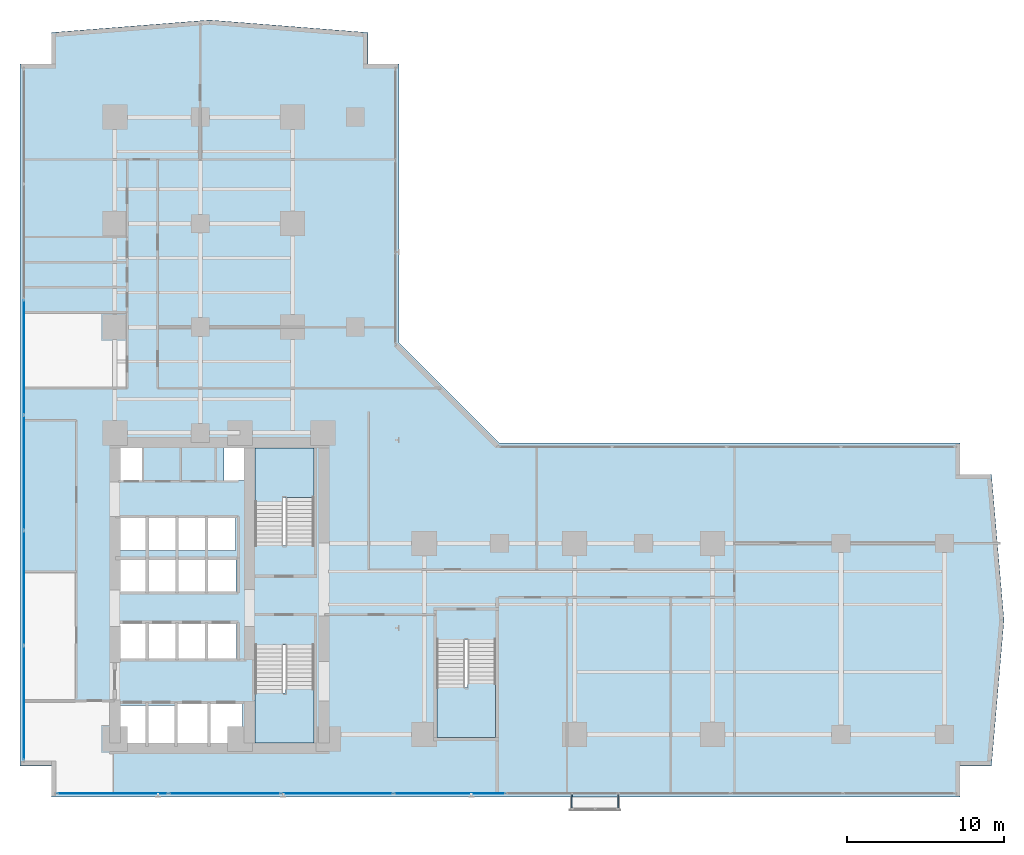
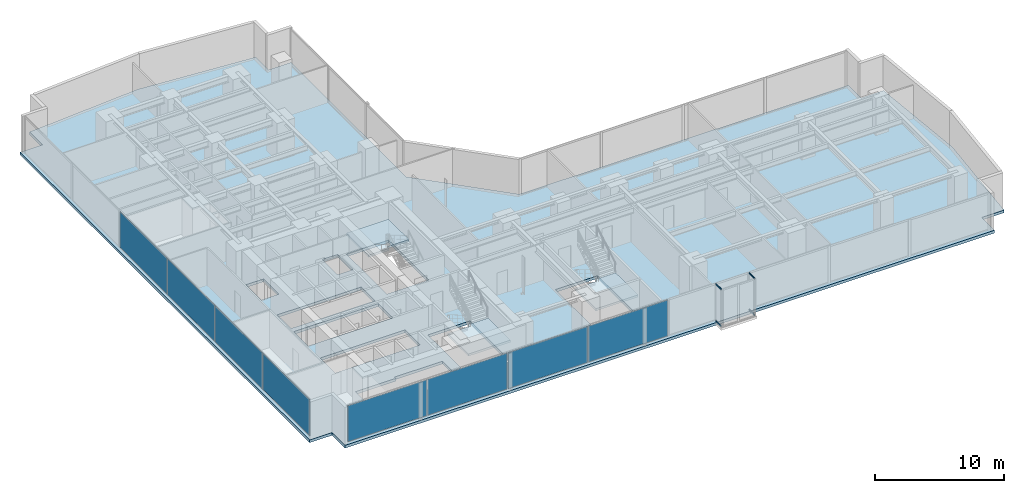
# One storey, part 20 of 30: 8 plates, 4 members, 4 slabs, 7 elements without a shape of their own.
"""IFC4 building model written with IfcOpenShell, lengths in metres."""

from ifc_helpers import new_model, si_unit, direction, frame, origin, origin_with_axes, origin_2d, place, context, subcontext, project, spatial, polyline, rectangle, hollow_rectangle, outline, extrude, source, transform, mapped, material, layer, layer_set, material_profile, profile_set, type_object, element, aggregate, save


model = new_model("IFC4")

# Units and contexts
model_context = context("Model", 3, precision=1e-05, world=origin(), true_north=direction((0.0, 1.0)))
body_context = subcontext(model_context, "Body", "Model", "MODEL_VIEW")
ifc_project = project(units=[si_unit("LENGTHUNIT", "METRE"), si_unit("AREAUNIT", "SQUARE_METRE"), si_unit("VOLUMEUNIT", "CUBIC_METRE"), si_unit("PLANEANGLEUNIT", "RADIAN"), si_unit("MASSUNIT", "GRAM", prefix="KILO")], contexts=[model_context])

# Site, building, storey
site_placement = place(None, origin())
site = spatial("IfcSite", under=ifc_project, at=site_placement, CompositionType="ELEMENT")
building_placement = place(site_placement, origin())
building = spatial("IfcBuilding", under=site, at=building_placement, Name="Kolvaren Waterfront Exchange", CompositionType="ELEMENT")
storey_placement = place(building_placement, frame((0.0, 0.0, 71.39990234375)))
storey = spatial("IfcBuildingStorey", under=building, at=storey_placement, Name="L18", CompositionType="ELEMENT", Elevation=71.39990234375)

# Curtain wall, members
ifc_material_1 = material(Name="Anodised bronze aluminium 6063-T6", Category="aluminium")
ifc_layer_1 = layer(ifc_material_1, 0.219970703125, Name="Anodised bronze aluminium 6063-T6")
ifc_layer_set_1 = layer_set([ifc_layer_1], Name="Anodised bronze aluminium 6063-T6")
curtain_wall_type_1 = type_object("IfcCurtainWallType", Name="ARC-CW-SYS3", PredefinedType="USERDEFINED", material=ifc_layer_set_1)
curtain_wall_1_placement = place(storey_placement, origin())
curtain_wall_1 = element("IfcCurtainWall", 1, at=curtain_wall_1_placement, inside=storey, type_object=curtain_wall_type_1, Name="L18 stick curtain wall CW3 (CW-L18-BOX-W)", ObjectType="STICK CURTAIN WALL", PredefinedType="USERDEFINED")
ifc_material_profile = material_profile(ifc_material_1, hollow_rectangle(XDim=0.06494140625, YDim=0.1298828125, WallThickness=0.00390625, at=origin_2d()), Name="ALU-TRN-130x65x4")
ifc_profile_set = profile_set([ifc_material_profile], Name="Anodised bronze aluminium 6063-T6")
member_type = type_object("IfcMemberType", Name="ARC-CWT-130", PredefinedType="USERDEFINED", material=ifc_profile_set)
shared_shape_1 = source(origin_with_axes(), body_context, "Body", "SweptSolid", [
    extrude(hollow_rectangle(XDim=0.06494140625, YDim=0.1298828125, WallThickness=0.00390625, at=origin_2d()), origin(), (0.0, 0.0, 1.0), 0.830078125),
])
member_1_placement = place(storey_placement, frame((36.610107421875, 1.364990234375, 0.03271484375), z_axis=(0.0, -1.0, 0.0), x_axis=(1.0, 0.0, 0.0)))
member_1 = element("IfcMember", 2, at=member_1_placement, type_object=member_type, Name="CW3 transom 1.1", ObjectType="TRANSOM", PredefinedType="USERDEFINED", context=body_context, shape_type="MappedRepresentation", body=[
    mapped(shared_shape_1, transform((0.0, 0.0, 0.0), x_axis=(1.0, 0.0, 0.0), y_axis=(0.0, 1.0, 0.0), z_axis=(0.0, 0.0, 1.0), scale=1.0)),
])
member_2_placement = place(storey_placement, frame((36.610107421875, 1.364990234375, 3.507568359375), z_axis=(0.0, -1.0, 0.0), x_axis=(1.0, 0.0, 0.0)))
member_2 = element("IfcMember", 3, at=member_2_placement, type_object=member_type, Name="CW3 transom 1.2", ObjectType="TRANSOM", PredefinedType="USERDEFINED", context=body_context, shape_type="MappedRepresentation", body=[
    mapped(shared_shape_1, transform((0.0, 0.0, 0.0), x_axis=(1.0, 0.0, 0.0), y_axis=(0.0, 1.0, 0.0), z_axis=(0.0, 0.0, 1.0), scale=1.0)),
])
aggregate(curtain_wall_1, [member_1, member_2])

curtain_wall_2_placement = place(storey_placement, origin())
curtain_wall_2 = element("IfcCurtainWall", 4, at=curtain_wall_2_placement, inside=storey, type_object=curtain_wall_type_1, Name="L18 stick curtain wall CW3 (CW-L18-BOX-E)", ObjectType="STICK CURTAIN WALL", PredefinedType="USERDEFINED")
member_3_placement = place(storey_placement, frame((39.590087890625, 0.534912109375, 0.03271484375), z_axis=(0.0, 1.0, 0.0), x_axis=(-1.0, 0.0, 0.0)))
member_3 = element("IfcMember", 5, at=member_3_placement, type_object=member_type, Name="CW3 transom 1.1", ObjectType="TRANSOM", PredefinedType="USERDEFINED", context=body_context, shape_type="MappedRepresentation", body=[
    mapped(shared_shape_1, transform((0.0, 0.0, 0.0), x_axis=(1.0, 0.0, 0.0), y_axis=(0.0, 1.0, 0.0), z_axis=(0.0, 0.0, 1.0), scale=1.0)),
])
member_4_placement = place(storey_placement, frame((39.590087890625, 0.534912109375, 3.507568359375), z_axis=(0.0, 1.0, 0.0), x_axis=(-1.0, 0.0, 0.0)))
member_4 = element("IfcMember", 6, at=member_4_placement, type_object=member_type, Name="CW3 transom 1.2", ObjectType="TRANSOM", PredefinedType="USERDEFINED", context=body_context, shape_type="MappedRepresentation", body=[
    mapped(shared_shape_1, transform((0.0, 0.0, 0.0), x_axis=(1.0, 0.0, 0.0), y_axis=(0.0, 1.0, 0.0), z_axis=(0.0, 0.0, 1.0), scale=1.0)),
])
aggregate(curtain_wall_2, [member_3, member_4])

# Stair, slab
ifc_material_2 = material(Name="Concrete C40/50", Category="concrete")
stair_type = type_object("IfcStairType", Name="ARC-STAIR-3800", PredefinedType="HALF_TURN_STAIR", material=ifc_material_2)
stair_1_placement = place(storey_placement, origin())
stair_1 = element("IfcStair", 7, at=stair_1_placement, inside=storey, type_object=stair_type, Name="L18 Smoke-proof exit stair ST1", PredefinedType="HALF_TURN_STAIR")
ifc_layer_2 = layer(ifc_material_2, 0.199951171875, Name="Concrete C40/50")
ifc_layer_set_2 = layer_set([ifc_layer_2], Name="Concrete C40/50")
slab_type_1 = type_object("IfcSlabType", Name="STR-LANDING-200", PredefinedType="LANDING", material=ifc_layer_set_2)
slab_1_placement = place(storey_placement, frame((0.0, 0.0, 1.776123046875)))
slab_1 = element("IfcSlab", 8, at=slab_1_placement, type_object=slab_type_1, Name="ST1 landing 1", PredefinedType="LANDING", context=body_context, shape_type="SweptSolid", body=[
    extrude(outline(polyline([(16.39990234375, 7.840087890625), (16.39990234375, 4.64990234375), (20.159912109375, 4.64990234375), (20.159912109375, 8.10009765625), (18.360107421875, 8.10009765625), (18.360107421875, 7.840087890625), (16.39990234375, 7.840087890625)])), origin(), (0.0, 0.0, 1.0), 0.199951171875),
])
aggregate(stair_1, [slab_1])

stair_2_placement = place(storey_placement, origin())
stair_2 = element("IfcStair", 9, at=stair_2_placement, inside=storey, type_object=stair_type, Name="L18 Smoke-proof exit stair ST2", PredefinedType="HALF_TURN_STAIR")
slab_2_placement = place(storey_placement, frame((0.0, 0.0, 1.776123046875)))
slab_2 = element("IfcSlab", 10, at=slab_2_placement, type_object=slab_type_1, Name="ST2 landing 1", PredefinedType="LANDING", context=body_context, shape_type="SweptSolid", body=[
    extrude(outline(polyline([(20.159912109375, 20.31005859375), (20.159912109375, 23.5), (16.39990234375, 23.5), (16.39990234375, 20.050048828125), (18.199951171875, 20.050048828125), (18.199951171875, 20.31005859375), (20.159912109375, 20.31005859375)])), origin(), (0.0, 0.0, 1.0), 0.199951171875),
])
aggregate(stair_2, [slab_2])

stair_3_placement = place(storey_placement, origin())
stair_3 = element("IfcStair", 11, at=stair_3_placement, inside=storey, type_object=stair_type, Name="L18 Exit stair ST3", PredefinedType="HALF_TURN_STAIR")
slab_3_placement = place(storey_placement, frame((0.0, 0.0, 1.776123046875)))
slab_3 = element("IfcSlab", 12, at=slab_3_placement, type_object=slab_type_1, Name="ST3 landing 1", PredefinedType="LANDING", context=body_context, shape_type="SweptSolid", body=[
    extrude(outline(polyline([(28.0, 8.18994140625), (28.0, 5.0), (31.760009765625, 5.0), (31.760009765625, 8.449951171875), (29.9599609375, 8.449951171875), (29.9599609375, 8.18994140625), (28.0, 8.18994140625)])), origin(), (0.0, 0.0, 1.0), 0.199951171875),
])
aggregate(stair_3, [slab_3])

# Slab
ifc_layer_3 = layer(ifc_material_2, 0.260009765625, Name="Concrete C40/50")
ifc_layer_set_3 = layer_set([ifc_layer_3], Name="Concrete C40/50")
slab_type_2 = type_object("IfcSlabType", Name="STR-SLAB-260", PredefinedType="FLOOR", material=ifc_layer_set_3)
slab_4_placement = place(storey_placement, frame((0.0, 0.0, -0.260009765625)))
element("IfcSlab", 13, at=slab_4_placement, inside=storey, type_object=slab_type_2, Name="L18 structural floor slab", PredefinedType="FLOOR", context=body_context, shape_type="SweptSolid", body=[
    extrude(outline(polyline([(3.39990234375, 1.199951171875), (61.39990234375, 1.199951171875), (61.39990234375, 3.199951171875), (63.39990234375, 3.199951171875), (64.199951171875, 12.5), (63.39990234375, 21.800048828125), (61.39990234375, 21.800048828125), (61.39990234375, 23.800048828125), (32.0, 23.800048828125), (25.60009765625, 30.199951171875), (25.60009765625, 48.0), (23.60009765625, 48.0), (23.60009765625, 50.0), (13.5, 50.800048828125), (3.39990234375, 50.0), (3.39990234375, 48.0), (1.39990234375, 48.0), (1.39990234375, 3.199951171875), (3.39990234375, 3.199951171875), (3.39990234375, 1.199951171875)]), holes=[polyline([(11.320068359375, 7.260009765625), (15.610107421875, 7.260009765625), (15.610107421875, 4.5400390625), (7.719970703125, 4.5400390625), (7.719970703125, 7.06005859375), (11.320068359375, 7.06005859375), (11.320068359375, 7.260009765625)]), polyline([(20.159912109375, 4.64990234375), (16.39990234375, 4.64990234375), (16.39990234375, 10.89990234375), (20.159912109375, 10.89990234375), (20.159912109375, 4.64990234375)]), polyline([(31.760009765625, 5.0), (28.0, 5.0), (28.0, 11.25), (31.760009765625, 11.25), (31.760009765625, 5.0)]), polyline([(15.2099609375, 10.0400390625), (7.6201171875, 10.0400390625), (7.6201171875, 12.360107421875), (15.2099609375, 12.360107421875), (15.2099609375, 10.0400390625)]), polyline([(7.64501953125, 16.4599609375), (15.18505859375, 16.4599609375), (15.18505859375, 14.239990234375), (7.64501953125, 14.239990234375), (7.64501953125, 16.4599609375)]), polyline([(15.159912109375, 16.93994140625), (7.669921875, 16.93994140625), (7.669921875, 19.06005859375), (15.159912109375, 19.06005859375), (15.159912109375, 16.93994140625)]), polyline([(16.39990234375, 23.5), (20.159912109375, 23.5), (20.159912109375, 17.25), (16.39990234375, 17.25), (16.39990234375, 23.5)]), polyline([(7.60009765625, 23.780029296875), (9.179931640625, 23.780029296875), (9.179931640625, 21.419921875), (7.60009765625, 21.419921875), (7.60009765625, 23.780029296875)]), polyline([(15.800048828125, 23.780029296875), (15.800048828125, 21.419921875), (14.419921875, 21.419921875), (14.419921875, 23.780029296875), (15.800048828125, 23.780029296875)])]), origin(), (0.0, 0.0, 1.0), 0.260009765625),
])

# Curtain wall, plates
ifc_layer_4 = layer(ifc_material_1, 0.219970703125, Name="Anodised bronze aluminium 6063-T6")
ifc_layer_set_4 = layer_set([ifc_layer_4], Name="Anodised bronze aluminium 6063-T6")
curtain_wall_type_2 = type_object("IfcCurtainWallType", Name="ARC-CW-SYS1", PredefinedType="USERDEFINED", material=ifc_layer_set_4)
curtain_wall_3_placement = place(storey_placement, origin())
curtain_wall_3 = element("IfcCurtainWall", 14, at=curtain_wall_3_placement, inside=storey, type_object=curtain_wall_type_2, Name="L18 stick curtain wall CW1 (CW-L18-S)", ObjectType="STICK CURTAIN WALL", PredefinedType="USERDEFINED")
ifc_material_3 = material(Name="Bronze solar control vision glass", Category="aluminium")
ifc_layer_5 = layer(ifc_material_3, 0.028076171875, Name="Bronze solar control vision glass")
ifc_layer_set_5 = layer_set([ifc_layer_5], Name="Bronze solar control vision glass")
plate_type_1 = type_object("IfcPlateType", Name="ARC-CWP-28", PredefinedType="CURTAIN_PANEL", material=ifc_layer_set_5)
shared_shape_2 = source(origin_with_axes(), body_context, "Body", "SweptSolid", [
    extrude(rectangle(XDim=7.054931640625, YDim=0.028076171875, at=origin_2d()), origin(), (0.0, 0.0, 1.0), 3.389892578125),
])
plate_1_placement = place(storey_placement, frame((7.3076171875, 1.43994140625, 0.0751953125), z_axis=(0.0, 0.0, 1.0), x_axis=(1.0, 0.0, 0.0)))
plate_1 = element("IfcPlate", 15, at=plate_1_placement, type_object=plate_type_1, Name="CW1 panel 1.1", PredefinedType="CURTAIN_PANEL", context=body_context, shape_type="MappedRepresentation", body=[
    mapped(shared_shape_2, transform((0.0, 0.0, 0.0), x_axis=(1.0, 0.0, 0.0), y_axis=(0.0, 1.0, 0.0), z_axis=(0.0, 0.0, 1.0), scale=1.0)),
])
shared_shape_3 = source(origin_with_axes(), body_context, "Body", "SweptSolid", [
    extrude(rectangle(XDim=7.094970703125, YDim=0.028076171875, at=origin_2d()), origin(), (0.0, 0.0, 1.0), 3.389892578125),
])
plate_2_placement = place(storey_placement, frame((14.46240234375, 1.43994140625, 0.0751953125), z_axis=(0.0, 0.0, 1.0), x_axis=(1.0, 0.0, 0.0)))
plate_2 = element("IfcPlate", 16, at=plate_2_placement, type_object=plate_type_1, Name="CW1 panel 2.1", PredefinedType="CURTAIN_PANEL", context=body_context, shape_type="MappedRepresentation", body=[
    mapped(shared_shape_3, transform((0.0, 0.0, 0.0), x_axis=(1.0, 0.0, 0.0), y_axis=(0.0, 1.0, 0.0), z_axis=(0.0, 0.0, 1.0), scale=1.0)),
])
plate_3_placement = place(storey_placement, frame((21.637451171875, 1.43994140625, 0.0751953125), z_axis=(0.0, 0.0, 1.0), x_axis=(1.0, 0.0, 0.0)))
plate_3 = element("IfcPlate", 17, at=plate_3_placement, type_object=plate_type_1, Name="CW1 panel 3.1", PredefinedType="CURTAIN_PANEL", context=body_context, shape_type="MappedRepresentation", body=[
    mapped(shared_shape_3, transform((0.0, 0.0, 0.0), x_axis=(1.0, 0.0, 0.0), y_axis=(0.0, 1.0, 0.0), z_axis=(0.0, 0.0, 1.0), scale=1.0)),
])
plate_4_placement = place(storey_placement, frame((28.8125, 1.43994140625, 0.0751953125), z_axis=(0.0, 0.0, 1.0), x_axis=(1.0, 0.0, 0.0)))
plate_4 = element("IfcPlate", 18, at=plate_4_placement, type_object=plate_type_1, Name="CW1 panel 4.1", PredefinedType="CURTAIN_PANEL", context=body_context, shape_type="MappedRepresentation", body=[
    mapped(shared_shape_3, transform((0.0, 0.0, 0.0), x_axis=(1.0, 0.0, 0.0), y_axis=(0.0, 1.0, 0.0), z_axis=(0.0, 0.0, 1.0), scale=1.0)),
])
aggregate(curtain_wall_3, [plate_1, plate_2, plate_3, plate_4])

ifc_material_4 = material(Name="Anodised aluminium 6063-T6", Category="aluminium")
ifc_layer_6 = layer(ifc_material_4, 0.219970703125, Name="Anodised aluminium 6063-T6")
ifc_layer_set_6 = layer_set([ifc_layer_6], Name="Anodised aluminium 6063-T6")
curtain_wall_type_3 = type_object("IfcCurtainWallType", Name="ARC-CW-SYS2", PredefinedType="USERDEFINED", material=ifc_layer_set_6)
curtain_wall_4_placement = place(storey_placement, origin())
curtain_wall_4 = element("IfcCurtainWall", 19, at=curtain_wall_4_placement, inside=storey, type_object=curtain_wall_type_3, Name="L18 stick curtain wall CW2 (CW-L18-W)", ObjectType="STICK CURTAIN WALL", PredefinedType="USERDEFINED")
ifc_material_5 = material(Name="Acoustic laminated vision glass", Category="glass")
ifc_layer_7 = layer(ifc_material_5, 0.031982421875, Name="Acoustic laminated vision glass")
ifc_layer_set_7 = layer_set([ifc_layer_7], Name="Acoustic laminated vision glass")
plate_type_2 = type_object("IfcPlateType", Name="ARC-CWP-32", PredefinedType="CURTAIN_PANEL", material=ifc_layer_set_7)
shared_shape_4 = source(origin_with_axes(), body_context, "Body", "SweptSolid", [
    extrude(rectangle(XDim=7.24658203125, YDim=0.031982421875, at=origin_2d()), origin(), (0.0, 0.0, 1.0), 3.389892578125),
])
plate_5_placement = place(storey_placement, frame((1.639892578125, 7.203369140625, 0.0751953125), z_axis=(0.0, 0.0, 1.0), x_axis=(0.0, 1.0, 0.0)))
plate_5 = element("IfcPlate", 20, at=plate_5_placement, type_object=plate_type_2, Name="CW2 panel 1.1", PredefinedType="CURTAIN_PANEL", context=body_context, shape_type="MappedRepresentation", body=[
    mapped(shared_shape_4, transform((0.0, 0.0, 0.0), x_axis=(1.0, 0.0, 0.0), y_axis=(0.0, 1.0, 0.0), z_axis=(0.0, 0.0, 1.0), scale=1.0)),
])
shared_shape_5 = source(origin_with_axes(), body_context, "Body", "SweptSolid", [
    extrude(rectangle(XDim=7.28662109375, YDim=0.031982421875, at=origin_2d()), origin(), (0.0, 0.0, 1.0), 3.389892578125),
])
plate_6_placement = place(storey_placement, frame((1.639892578125, 14.550048828125, 0.0751953125), z_axis=(0.0, 0.0, 1.0), x_axis=(0.0, 1.0, 0.0)))
plate_6 = element("IfcPlate", 21, at=plate_6_placement, type_object=plate_type_2, Name="CW2 panel 2.1", PredefinedType="CURTAIN_PANEL", context=body_context, shape_type="MappedRepresentation", body=[
    mapped(shared_shape_5, transform((0.0, 0.0, 0.0), x_axis=(1.0, 0.0, 0.0), y_axis=(0.0, 1.0, 0.0), z_axis=(0.0, 0.0, 1.0), scale=1.0)),
])
plate_7_placement = place(storey_placement, frame((1.639892578125, 21.916748046875, 0.0751953125), z_axis=(0.0, 0.0, 1.0), x_axis=(0.0, 1.0, 0.0)))
plate_7 = element("IfcPlate", 22, at=plate_7_placement, type_object=plate_type_2, Name="CW2 panel 3.1", PredefinedType="CURTAIN_PANEL", context=body_context, shape_type="MappedRepresentation", body=[
    mapped(shared_shape_5, transform((0.0, 0.0, 0.0), x_axis=(1.0, 0.0, 0.0), y_axis=(0.0, 1.0, 0.0), z_axis=(0.0, 0.0, 1.0), scale=1.0)),
])
plate_8_placement = place(storey_placement, frame((1.639892578125, 29.283447265625, 0.0751953125), z_axis=(0.0, 0.0, 1.0), x_axis=(0.0, 1.0, 0.0)))
plate_8 = element("IfcPlate", 23, at=plate_8_placement, type_object=plate_type_2, Name="CW2 panel 4.1", PredefinedType="CURTAIN_PANEL", context=body_context, shape_type="MappedRepresentation", body=[
    mapped(shared_shape_5, transform((0.0, 0.0, 0.0), x_axis=(1.0, 0.0, 0.0), y_axis=(0.0, 1.0, 0.0), z_axis=(0.0, 0.0, 1.0), scale=1.0)),
])
aggregate(curtain_wall_4, [plate_5, plate_6, plate_7, plate_8])

save(model, "model.ifc")
